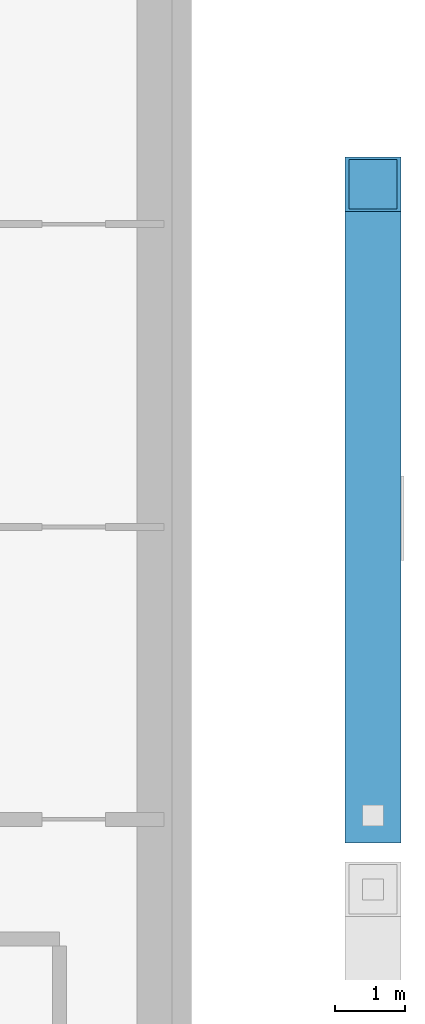
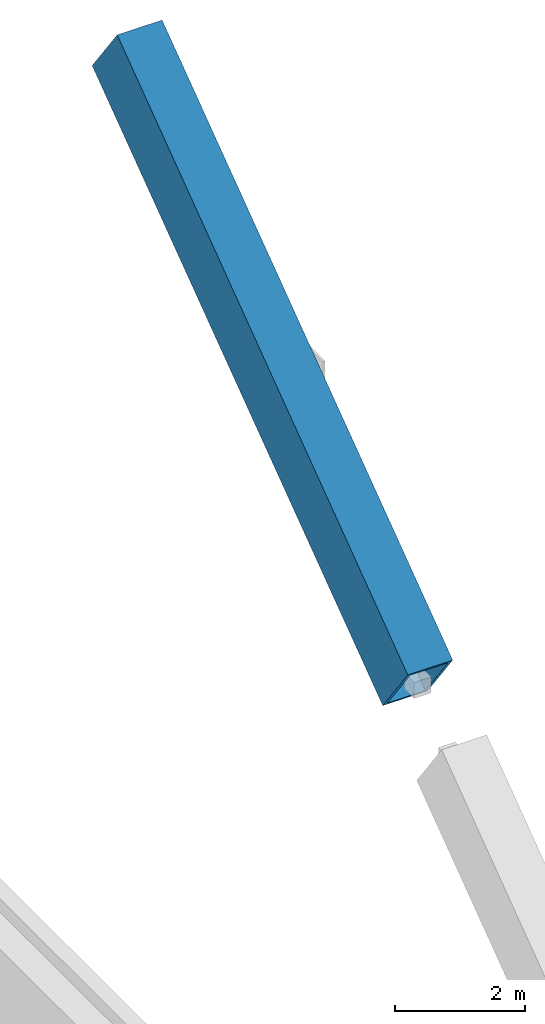
# One storey, part 7 of 18: 1 member.
"""IFC4 building model written with IfcOpenShell, lengths in metres."""

import ifcopenshell
import ifcopenshell.guid

model = None  # the IFC model being written
_history = None  # IfcOwnerHistory: only IFC2X3 demands one
_inside = {}  # id of a spatial element -> (the spatial element, [elements in it])
_under = {}  # id of a project, library or spatial element -> (it, [spatial elements below it])
_declared = {}  # id of a project -> (the project, [libraries it declares])
_typed = {}  # id of a type object -> (the type object, [elements of that type])
_made_of = {}  # id of a material, layer set ... -> (it, [elements and type objects made of it])


def new_model(schema):
    """Start an empty IFC model of exactly this schema.

    Asked for "IFC4X3", IfcOpenShell would pick the latest addendum, in which some entities
    have other attributes; the version numbers below select the first issue.
    IFC2X3 requires an IfcOwnerHistory on every rooted entity: one is made here for all.
    """
    global model, _history
    if schema == "IFC4X3":
        model = ifcopenshell.file(schema_version=(4, 3, 0, 0))
    else:
        model = ifcopenshell.file(schema=schema)
    _inside.clear()
    _under.clear()
    _declared.clear()
    _typed.clear()
    _made_of.clear()
    _history = None
    if model.schema == "IFC2X3":
        org = make("IfcOrganization", Name="unknown")
        user = make(
            "IfcPersonAndOrganization",
            ThePerson=make("IfcPerson", FamilyName="unknown"),
            TheOrganization=org,
        )
        app = make(
            "IfcApplication",
            ApplicationDeveloper=org,
            Version="unknown",
            ApplicationFullName="unknown",
            ApplicationIdentifier="unknown",
        )
        _history = make(
            "IfcOwnerHistory",
            OwningUser=user,
            OwningApplication=app,
            ChangeAction="ADDED",
            CreationDate=0,
        )
    return model


def make(cls, **values):
    """One entity of the class cls with the attributes given. An attribute that is None is left unset."""
    return model.create_entity(
        cls, **{name: value for name, value in values.items() if value is not None}
    )


def rooted(cls, **values):
    """An entity with a GlobalId (a new one), such as an element, a storey or a relation."""
    return make(cls, GlobalId=ifcopenshell.guid.new(), OwnerHistory=_history, **values)


def si_unit(unit_type, name, prefix=None):
    """IfcSIUnit, for example si_unit("LENGTHUNIT", "METRE", prefix="MILLI")."""
    return make("IfcSIUnit", UnitType=unit_type, Prefix=prefix, Name=name)


def assignment(units):
    """IfcUnitAssignment: the units of a project."""
    return None if units is None else make("IfcUnitAssignment", Units=units)


def point(xyz):
    """IfcCartesianPoint."""
    return None if xyz is None else make("IfcCartesianPoint", Coordinates=xyz)


def direction(xyz):
    """IfcDirection."""
    return None if xyz is None else make("IfcDirection", DirectionRatios=xyz)


def frame(location, z_axis=None, x_axis=None):
    """IfcAxis2Placement3D, a coordinate frame: its origin and axes. An axis left out is left unset."""
    return make(
        "IfcAxis2Placement3D",
        Location=point(location),
        Axis=direction(z_axis),
        RefDirection=direction(x_axis),
    )


def frame_2d(location, x_axis=None):
    """IfcAxis2Placement2D, a coordinate frame in the plane: its origin and x axis."""
    return make(
        "IfcAxis2Placement2D", Location=point(location), RefDirection=direction(x_axis)
    )


def origin():
    """The frame at (0, 0, 0) with its axes left unset."""
    return frame((0.0, 0.0, 0.0))


def origin_2d():
    """The frame at (0, 0) in the plane with its x axis left unset."""
    return frame_2d((0.0, 0.0))


def place(relative_to, where):
    """IfcLocalPlacement: puts the frame where relative to a parent placement (None: the world)."""
    return make(
        "IfcLocalPlacement", PlacementRelTo=relative_to, RelativePlacement=where
    )


def context(
    kind, dimensions, precision=None, world=None, true_north=None, identifier=None
):
    """IfcGeometricRepresentationContext, for example the 3D "Model" context."""
    return make(
        "IfcGeometricRepresentationContext",
        ContextIdentifier=identifier,
        ContextType=kind,
        CoordinateSpaceDimension=dimensions,
        Precision=precision,
        WorldCoordinateSystem=world,
        TrueNorth=true_north,
    )


def subcontext(parent, identifier, kind, view, scale=None):
    """IfcGeometricRepresentationSubContext, for example "Body" below "Model"."""
    return make(
        "IfcGeometricRepresentationSubContext",
        ContextIdentifier=identifier,
        ContextType=kind,
        ParentContext=parent,
        TargetScale=scale,
        TargetView=view,
    )


def project(units=None, contexts=None):
    """IfcProject with its units and contexts."""
    return rooted(
        "IfcProject",
        Name="project",
        RepresentationContexts=contexts,
        UnitsInContext=assignment(units),
    )


def spatial(cls, under=None, at=None, **own):
    """A site, building, storey or space (cls), placed at a placement, below another one or the project."""
    s = rooted(cls, ObjectPlacement=at, **own)
    if under is not None:
        _under.setdefault(under.id(), (under, []))[1].append(s)
    return s


def profile(cls, at=None, kind="AREA", **sizes):
    """A parametric profile (cls). Its sizes go by their IFC names, for example OverallWidth=200.0."""
    return make(cls, ProfileType=kind, Position=at, **sizes)


def hollow_rectangle(**sizes):
    """IfcRectangleHollowProfileDef."""
    return profile("IfcRectangleHollowProfileDef", **sizes)


def extrude(swept, where, along, depth):
    """IfcExtrudedAreaSolid: the profile swept, set in the frame where, extruded along a direction by depth."""
    return make(
        "IfcExtrudedAreaSolid",
        SweptArea=swept,
        Position=where,
        ExtrudedDirection=direction(along),
        Depth=depth,
    )


def shape(context_of_items, identifier, shape_type, items):
    """IfcShapeRepresentation: the items that make up one representation, for example the "Body"."""
    return make(
        "IfcShapeRepresentation",
        ContextOfItems=context_of_items,
        RepresentationIdentifier=identifier,
        RepresentationType=shape_type,
        Items=items,
    )


def material(Name=None, Category=None):
    """IfcMaterial."""
    return make("IfcMaterial", Name=Name, Category=Category)


def material_profile(
    of_material, cross_section, Name=None, Category=None, Priority=None
):
    """IfcMaterialProfile: a cross section and its material."""
    return make(
        "IfcMaterialProfile",
        Name=Name,
        Material=of_material,
        Profile=cross_section,
        Priority=Priority,
        Category=Category,
    )


def profile_set(profiles, Name=None, composite=None):
    """IfcMaterialProfileSet."""
    return make(
        "IfcMaterialProfileSet",
        Name=Name,
        MaterialProfiles=profiles,
        CompositeProfile=composite,
    )


def made_of(thing, what):
    """Note that an element or type object is made of a material, layer set ...; save() writes the relation."""
    if what is not None:
        _made_of.setdefault(what.id(), (what, []))[1].append(thing)
    return thing


def type_object(cls, material=None, **own):
    """A type object (cls), such as IfcWallType, which elements share."""
    return made_of(rooted(cls, **own), material)


def element(
    cls,
    number,
    at=None,
    inside=None,
    cuts=None,
    type_object=None,
    material=None,
    context=None,
    identifier="Body",
    shape_type=None,
    held_by="IfcProductDefinitionShape",
    body=None,
    shapes=None,
    **own,
):
    """One element of the class cls, such as IfcWall. Its Tag is "e" and its number.

    at: its placement. inside: the storey or other place that contains it. cuts: it is an
    opening in that element (IfcRelVoidsElement). A single representation is given by context,
    identifier, shape_type and body (its items); several are given by shapes. held_by: the class
    of the entity that holds the representations. save() writes the other relations.
    """
    e = rooted(cls, Tag="e%d" % number, ObjectPlacement=at, **own)
    if body is not None:
        shapes = [shape(context, identifier, shape_type, body)]
    if shapes is not None:
        e.Representation = make(held_by, Representations=shapes)
    if inside is not None:
        _inside.setdefault(inside.id(), (inside, []))[1].append(e)
    if cuts is not None:
        rooted(
            "IfcRelVoidsElement", RelatingBuildingElement=cuts, RelatedOpeningElement=e
        )
    if type_object is not None:
        _typed.setdefault(type_object.id(), (type_object, []))[1].append(e)
    return made_of(e, material)


def aggregate(whole, parts):
    """IfcRelAggregates: a whole, such as a stair, and the parts it consists of."""
    return rooted("IfcRelAggregates", RelatingObject=whole, RelatedObjects=parts)


def save(model, path):
    """Write the relations noted so far, then the file.

    IfcRelAggregates (storeys below a building ...), IfcRelContainedInSpatialStructure (elements
    in a storey), IfcRelDefinesByType, IfcRelAssociatesMaterial and IfcRelDeclares: one each for
    every whole, place, type object, material and project.
    """
    for whole, parts in _under.values():
        aggregate(whole, parts)
    for where, things in _inside.values():
        rooted(
            "IfcRelContainedInSpatialStructure",
            RelatedElements=things,
            RelatingStructure=where,
        )
    for kind, things in _typed.values():
        rooted("IfcRelDefinesByType", RelatedObjects=things, RelatingType=kind)
    for what, things in _made_of.values():
        rooted("IfcRelAssociatesMaterial", RelatedObjects=things, RelatingMaterial=what)
    for by, libraries in _declared.values():
        rooted("IfcRelDeclares", RelatingContext=by, RelatedDefinitions=libraries)
    model.write(path)


model = new_model("IFC4")

# Units and contexts
model_context = context("Model", 3, precision=1e-05, world=origin(), true_north=direction((0.0, 1.0)))
body_context = subcontext(model_context, "Body", "Model", "MODEL_VIEW")
ifc_project = project(units=[si_unit("LENGTHUNIT", "METRE"), si_unit("AREAUNIT", "SQUARE_METRE"), si_unit("VOLUMEUNIT", "CUBIC_METRE"), si_unit("PLANEANGLEUNIT", "RADIAN"), si_unit("MASSUNIT", "GRAM", prefix="KILO")], contexts=[model_context])

# Site, building, storey
site_placement = place(None, origin())
site = spatial("IfcSite", under=ifc_project, at=site_placement, CompositionType="ELEMENT")
building_placement = place(site_placement, origin())
building = spatial("IfcBuilding", under=site, at=building_placement, Name="Cobrizo Arcos Hotel Tower", CompositionType="ELEMENT")
storey_placement = place(building_placement, frame((0.0, 0.0, 158.5)))
storey = spatial("IfcBuildingStorey", under=building, at=storey_placement, Name="L40", CompositionType="ELEMENT", Elevation=158.5)

# Member
ifc_material = material(Name="Steel ASTM A572 Grade 50", Category="steel")
ifc_material_profile = material_profile(ifc_material, hollow_rectangle(XDim=0.800048828125, YDim=1.300048828125, WallThickness=0.06005859375, at=origin_2d()), Name="BOX 800X1300X60")
ifc_profile_set = profile_set([ifc_material_profile], Name="Steel ASTM A572 Grade 50")
member_type = type_object("IfcMemberType", Name="BOX 800X1300X60 perimeter brace", PredefinedType="BRACE", material=ifc_profile_set)
member_placement = place(storey_placement, frame((24.449951171875, -1.84814453125, 11.385986328125), z_axis=(0.0, 0.804620954099, 0.593788784186), x_axis=(-1.0, 0.0, 0.0)))
element("IfcMember", 1, at=member_placement, inside=storey, type_object=member_type, Name="Perimeter brace PBR3, zone Z3, east face, no. 08c", PredefinedType="BRACE", context=body_context, shape_type="SweptSolid", body=[
    extrude(hollow_rectangle(XDim=0.800048828125, YDim=1.300048828125, WallThickness=0.06005859375, at=origin_2d()), origin(), (0.0, 0.0, 1.0), 11.138671875),
])

save(model, "model.ifc")
